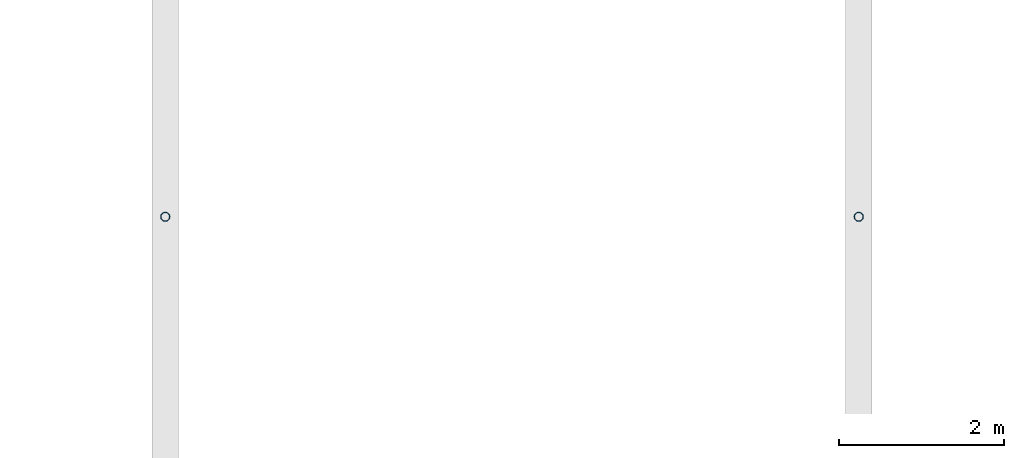
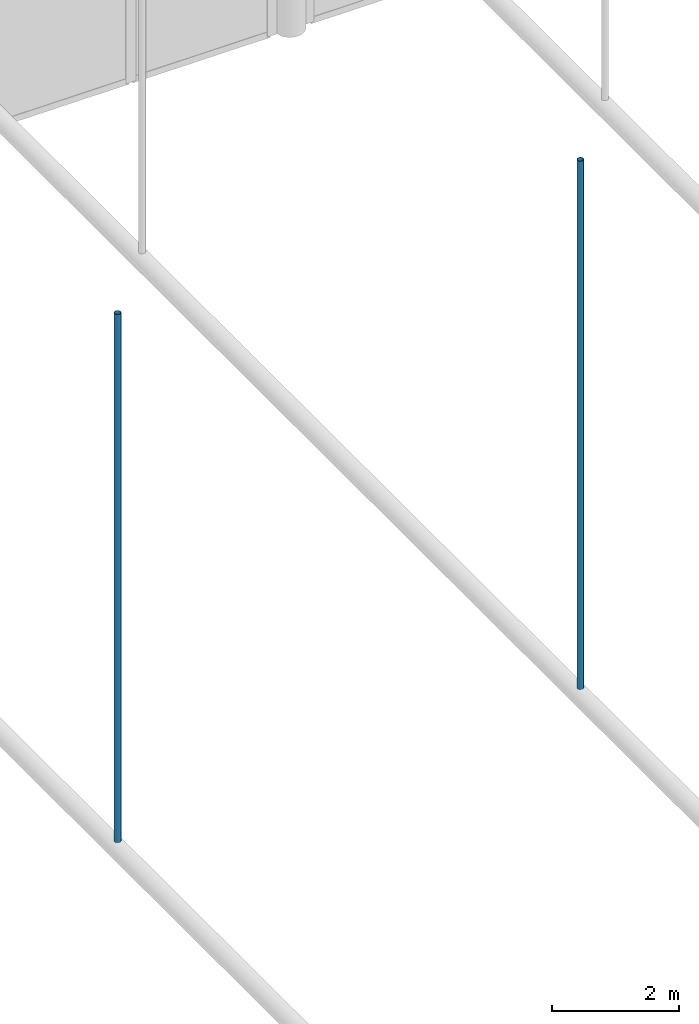
# One storey, part 78 of 167: 2 members.
"""IFC4 building model written with IfcOpenShell, lengths in metres."""

from ifc_helpers import new_model, si_unit, direction, frame, origin, origin_2d, place, context, subcontext, project, spatial, hollow_circle, extrude, material, material_profile, profile_set, type_object, element, save


model = new_model("IFC4")

# Units and contexts
model_context = context("Model", 3, precision=1e-05, world=origin(), true_north=direction((0.0, 1.0)))
body_context = subcontext(model_context, "Body", "Model", "MODEL_VIEW")
ifc_project = project(units=[si_unit("LENGTHUNIT", "METRE"), si_unit("AREAUNIT", "SQUARE_METRE"), si_unit("VOLUMEUNIT", "CUBIC_METRE"), si_unit("PLANEANGLEUNIT", "RADIAN"), si_unit("MASSUNIT", "GRAM", prefix="KILO")], contexts=[model_context])

# Site, building, storey
site_placement = place(None, origin())
site = spatial("IfcSite", under=ifc_project, at=site_placement, CompositionType="ELEMENT")
building_placement = place(site_placement, origin())
building = spatial("IfcBuilding", under=site, at=building_placement, Name="Catenary Quay Ferry Terminal", CompositionType="ELEMENT")
storey_placement = place(building_placement, frame((0.0, 0.0, 6.0)))
storey = spatial("IfcBuildingStorey", under=building, at=storey_placement, Name="L01", CompositionType="ELEMENT", Elevation=6.0)

# Members
ifc_material = material(Name="Steel S355", Category="steel")
ifc_material_profile = material_profile(ifc_material, hollow_circle(Radius=0.05712890625, WallThickness=0.00634765625, at=origin_2d()), Name="CHS 114.3x6.3")
ifc_profile_set = profile_set([ifc_material_profile], Name="Steel S355")
member_type = type_object("IfcMemberType", Name="HG1 CHS 114.3x6.3", PredefinedType="POST", material=ifc_profile_set)
for number, where, z_axis, x_axis, name in (
    (1, (50.39990234375, 119.110107421875, 4.654052734375), (0.0, 0.0, 1.0), (1.0, 0.0, 0.0), "Hanger VD-04-04"),
    (2, (58.800048828125, 119.110107421875, 4.654052734375), (0.0, 0.0, 1.0), (1.0, 0.0, 0.0), "Hanger VD-05-04"),
):
    element("IfcMember", number, at=place(storey_placement, frame(where, z_axis=z_axis, x_axis=x_axis)), inside=storey, type_object=member_type, Name=name, PredefinedType="POST", context=body_context, shape_type="SweptSolid", body=[
        extrude(hollow_circle(Radius=0.05712890625, WallThickness=0.00634765625, at=origin_2d()), origin(), (0.0, 0.0, 1.0), 10.137939453125),
    ])

save(model, "model.ifc")
